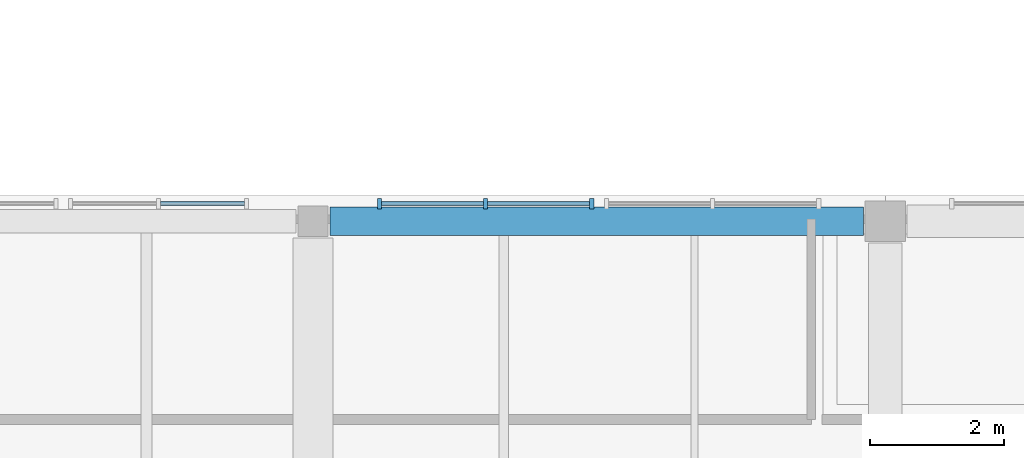
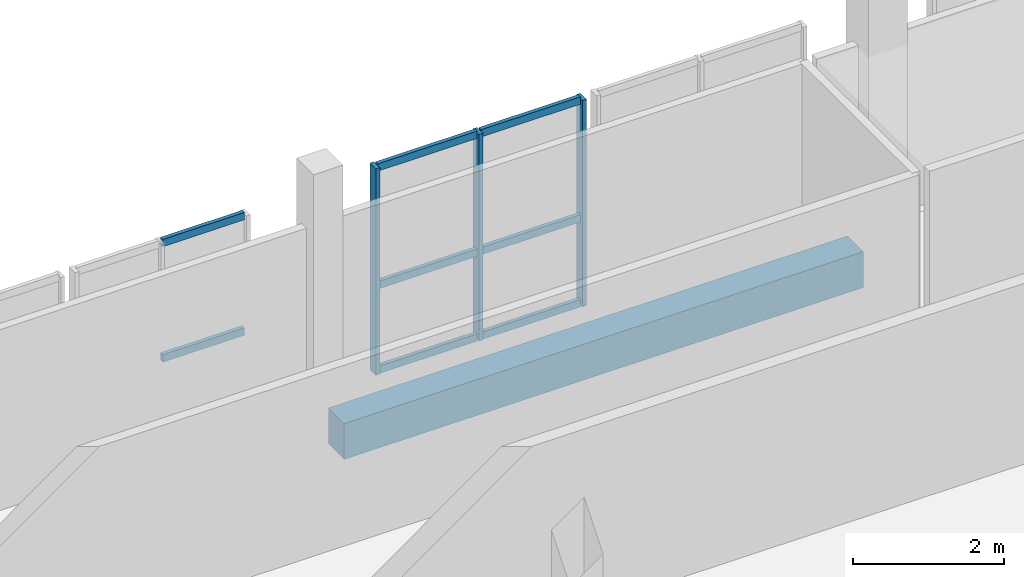
# One storey, part 19 of 76: 11 members, 1 beam, 2 elements without a shape of their own.
"""IFC4 building model written with IfcOpenShell, lengths in metres."""

from ifc_helpers import new_model, si_unit, direction, frame, origin, origin_2d, place, context, subcontext, project, spatial, rectangle, extrude, material, layer, layer_set, material_profile, profile_set, type_object, element, aggregate, save


model = new_model("IFC4")

# Units and contexts
model_context = context("Model", 3, precision=1e-05, world=origin(), true_north=direction((0.0, 1.0)))
body_context = subcontext(model_context, "Body", "Model", "MODEL_VIEW")
ifc_project = project(units=[si_unit("LENGTHUNIT", "METRE"), si_unit("AREAUNIT", "SQUARE_METRE"), si_unit("VOLUMEUNIT", "CUBIC_METRE"), si_unit("PLANEANGLEUNIT", "RADIAN"), si_unit("MASSUNIT", "GRAM", prefix="KILO")], contexts=[model_context])

# Site, building, storey
site_placement = place(None, origin())
site = spatial("IfcSite", under=ifc_project, at=site_placement, CompositionType="ELEMENT")
building_placement = place(site_placement, origin())
building = spatial("IfcBuilding", under=site, at=building_placement, Name="Vardoun Plaza Health Centre", CompositionType="ELEMENT")
storey_placement = place(building_placement, frame((0.0, 0.0, 4.5)))
storey = spatial("IfcBuildingStorey", under=building, at=storey_placement, Name="L01", CompositionType="ELEMENT", Elevation=4.5)

# Beam
ifc_material_1 = material(Name="Concrete C35/45", Category="concrete")
ifc_material_profile_1 = material_profile(ifc_material_1, rectangle(XDim=0.419921875, YDim=0.580078125, at=origin_2d()), Name="RC-BM 420x580")
ifc_profile_set_1 = profile_set([ifc_material_profile_1], Name="Concrete C35/45")
beam_type = type_object("IfcBeamType", Name="B-10", PredefinedType="SPANDREL", material=ifc_profile_set_1)
beam_placement = place(storey_placement, frame((128.22998046875, 18.52001953125, -0.5849609375), z_axis=(1.0, 0.0, 0.0), x_axis=(0.0, 1.0, 0.0)))
element("IfcBeam", 1, at=beam_placement, inside=storey, type_object=beam_type, Name="V5 L01 Beam B-V5-L01-X12", PredefinedType="SPANDREL", context=body_context, shape_type="SweptSolid", body=[
    extrude(rectangle(XDim=0.419921875, YDim=0.580078125, at=origin_2d()), origin(), (0.0, 0.0, 1.0), 7.945068359375),
])

# Curtain wall, members
ifc_material_2 = material(Name="Aluminium Alloy EN AW-6063-T6 and Low-E Glass", Category="aluminium")
ifc_layer = layer(ifc_material_2, 0.14990234375)
ifc_layer_set = layer_set([ifc_layer], Name="Aluminium Alloy EN AW-6063-T6 and Low-E Glass")
curtain_wall_type = type_object("IfcCurtainWallType", Name="CW-03", PredefinedType="NOTDEFINED", material=ifc_layer_set)
curtain_wall_1_placement = place(storey_placement, origin())
curtain_wall_1 = element("IfcCurtainWall", 2, at=curtain_wall_1_placement, inside=storey, type_object=curtain_wall_type, Name="Curtain Wall CW-V5-155", PredefinedType="NOTDEFINED")
ifc_material_3 = material(Name="Aluminium Alloy EN AW-6063-T6", Category="aluminium")
ifc_material_profile_2 = material_profile(ifc_material_3, rectangle(XDim=0.159912109375, YDim=0.06005859375, at=origin_2d()), Name="CWM 60x160")
ifc_profile_set_2 = profile_set([ifc_material_profile_2], Name="Aluminium Alloy EN AW-6063-T6")
member_type_1 = type_object("IfcMemberType", Name="CW-M1", PredefinedType="MULLION", material=ifc_profile_set_2)
member_1_placement = place(storey_placement, frame((128.969970703125, 18.780029296875, 0.0), z_axis=(0.0, 0.0, 1.0), x_axis=(0.0, 1.0, 0.0)))
member_1 = element("IfcMember", 3, at=member_1_placement, type_object=member_type_1, Name="CW-V5-155 mullion 1", PredefinedType="MULLION", context=body_context, shape_type="SweptSolid", body=[
    extrude(rectangle(XDim=0.159912109375, YDim=0.06005859375, at=origin_2d()), origin(), (0.0, 0.0, 1.0), 3.340087890625),
])
member_2_placement = place(storey_placement, frame((130.550048828125, 18.780029296875, 0.0), z_axis=(0.0, 0.0, 1.0), x_axis=(0.0, 1.0, 0.0)))
member_2 = element("IfcMember", 4, at=member_2_placement, type_object=member_type_1, Name="CW-V5-155 mullion 2", PredefinedType="MULLION", context=body_context, shape_type="SweptSolid", body=[
    extrude(rectangle(XDim=0.159912109375, YDim=0.06005859375, at=origin_2d()), origin(), (0.0, 0.0, 1.0), 3.340087890625),
])
member_3_placement = place(storey_placement, frame((132.1298828125, 18.780029296875, 0.0), z_axis=(0.0, 0.0, 1.0), x_axis=(0.0, 1.0, 0.0)))
member_3 = element("IfcMember", 5, at=member_3_placement, type_object=member_type_1, Name="CW-V5-155 mullion 3", PredefinedType="MULLION", context=body_context, shape_type="SweptSolid", body=[
    extrude(rectangle(XDim=0.159912109375, YDim=0.06005859375, at=origin_2d()), origin(), (0.0, 0.0, 1.0), 3.340087890625),
])

curtain_wall_2_placement = place(storey_placement, origin())
curtain_wall_2 = element("IfcCurtainWall", 6, at=curtain_wall_2_placement, inside=storey, type_object=curtain_wall_type, Name="Curtain Wall CW-V5-154", PredefinedType="NOTDEFINED")
ifc_material_4 = material(Name="Aluminium Alloy EN AW-6063-T6", Category="aluminium")
ifc_material_profile_3 = material_profile(ifc_material_4, rectangle(XDim=0.06005859375, YDim=0.1201171875, at=origin_2d()), Name="CWT 60x120")
ifc_profile_set_3 = profile_set([ifc_material_profile_3], Name="Aluminium Alloy EN AW-6063-T6")
member_type_2 = type_object("IfcMemberType", Name="CW-T1", PredefinedType="USERDEFINED", material=ifc_profile_set_3)
member_4_placement = place(storey_placement, frame((125.7099609375, 18.780029296875, 1.373291015625), z_axis=(1.0, 0.0, 0.0), x_axis=(0.0, 1.0, 0.0)))
member_4 = element("IfcMember", 7, at=member_4_placement, type_object=member_type_2, Name="CW-V5-154 transom 2.2", ObjectType="TRANSOM", PredefinedType="USERDEFINED", context=body_context, shape_type="SweptSolid", body=[
    extrude(rectangle(XDim=0.06005859375, YDim=0.1201171875, at=origin_2d()), origin(), (0.0, 0.0, 1.0), 1.25),
])
member_5_placement = place(storey_placement, frame((125.7099609375, 18.780029296875, 3.239990234375), z_axis=(1.0, 0.0, 0.0), x_axis=(0.0, 1.0, 0.0)))
member_5 = element("IfcMember", 8, at=member_5_placement, type_object=member_type_2, Name="CW-V5-154 transom 2.3", ObjectType="TRANSOM", PredefinedType="USERDEFINED", context=body_context, shape_type="SweptSolid", body=[
    extrude(rectangle(XDim=0.06005859375, YDim=0.1201171875, at=origin_2d()), origin(), (0.0, 0.0, 1.0), 1.25),
])
aggregate(curtain_wall_2, [member_4, member_5])

# Member
member_6_placement = place(storey_placement, frame((129.0, 18.780029296875, 0.030029296875), z_axis=(1.0, 0.0, 0.0), x_axis=(0.0, 1.0, 0.0)))
member_6 = element("IfcMember", 9, at=member_6_placement, type_object=member_type_2, Name="CW-V5-155 transom 1.1", ObjectType="TRANSOM", PredefinedType="USERDEFINED", context=body_context, shape_type="SweptSolid", body=[
    extrude(rectangle(XDim=0.06005859375, YDim=0.1201171875, at=origin_2d()), origin(), (0.0, 0.0, 1.0), 1.52001953125),
])

member_7_placement = place(storey_placement, frame((129.0, 18.780029296875, 1.40283203125), z_axis=(1.0, 0.0, 0.0), x_axis=(0.0, 1.0, 0.0)))
member_7 = element("IfcMember", 10, at=member_7_placement, type_object=member_type_2, Name="CW-V5-155 transom 1.2", ObjectType="TRANSOM", PredefinedType="USERDEFINED", context=body_context, shape_type="SweptSolid", body=[
    extrude(rectangle(XDim=0.06005859375, YDim=0.1201171875, at=origin_2d()), origin(), (0.0, 0.0, 1.0), 1.52001953125),
])

member_8_placement = place(storey_placement, frame((129.0, 18.780029296875, 3.31005859375), z_axis=(1.0, 0.0, 0.0), x_axis=(0.0, 1.0, 0.0)))
member_8 = element("IfcMember", 11, at=member_8_placement, type_object=member_type_2, Name="CW-V5-155 transom 1.3", ObjectType="TRANSOM", PredefinedType="USERDEFINED", context=body_context, shape_type="SweptSolid", body=[
    extrude(rectangle(XDim=0.06005859375, YDim=0.1201171875, at=origin_2d()), origin(), (0.0, 0.0, 1.0), 1.52001953125),
])

member_9_placement = place(storey_placement, frame((130.580078125, 18.780029296875, 0.030029296875), z_axis=(1.0, 0.0, 0.0), x_axis=(0.0, 1.0, 0.0)))
member_9 = element("IfcMember", 12, at=member_9_placement, type_object=member_type_2, Name="CW-V5-155 transom 2.1", ObjectType="TRANSOM", PredefinedType="USERDEFINED", context=body_context, shape_type="SweptSolid", body=[
    extrude(rectangle(XDim=0.06005859375, YDim=0.1201171875, at=origin_2d()), origin(), (0.0, 0.0, 1.0), 1.52001953125),
])

member_10_placement = place(storey_placement, frame((130.580078125, 18.780029296875, 1.40283203125), z_axis=(1.0, 0.0, 0.0), x_axis=(0.0, 1.0, 0.0)))
member_10 = element("IfcMember", 13, at=member_10_placement, type_object=member_type_2, Name="CW-V5-155 transom 2.2", ObjectType="TRANSOM", PredefinedType="USERDEFINED", context=body_context, shape_type="SweptSolid", body=[
    extrude(rectangle(XDim=0.06005859375, YDim=0.1201171875, at=origin_2d()), origin(), (0.0, 0.0, 1.0), 1.52001953125),
])

member_11_placement = place(storey_placement, frame((130.580078125, 18.780029296875, 3.31005859375), z_axis=(1.0, 0.0, 0.0), x_axis=(0.0, 1.0, 0.0)))
member_11 = element("IfcMember", 14, at=member_11_placement, type_object=member_type_2, Name="CW-V5-155 transom 2.3", ObjectType="TRANSOM", PredefinedType="USERDEFINED", context=body_context, shape_type="SweptSolid", body=[
    extrude(rectangle(XDim=0.06005859375, YDim=0.1201171875, at=origin_2d()), origin(), (0.0, 0.0, 1.0), 1.52001953125),
])

aggregate(curtain_wall_1, [member_1, member_2, member_3, member_6, member_7, member_8, member_9, member_10, member_11])

save(model, "model.ifc")
